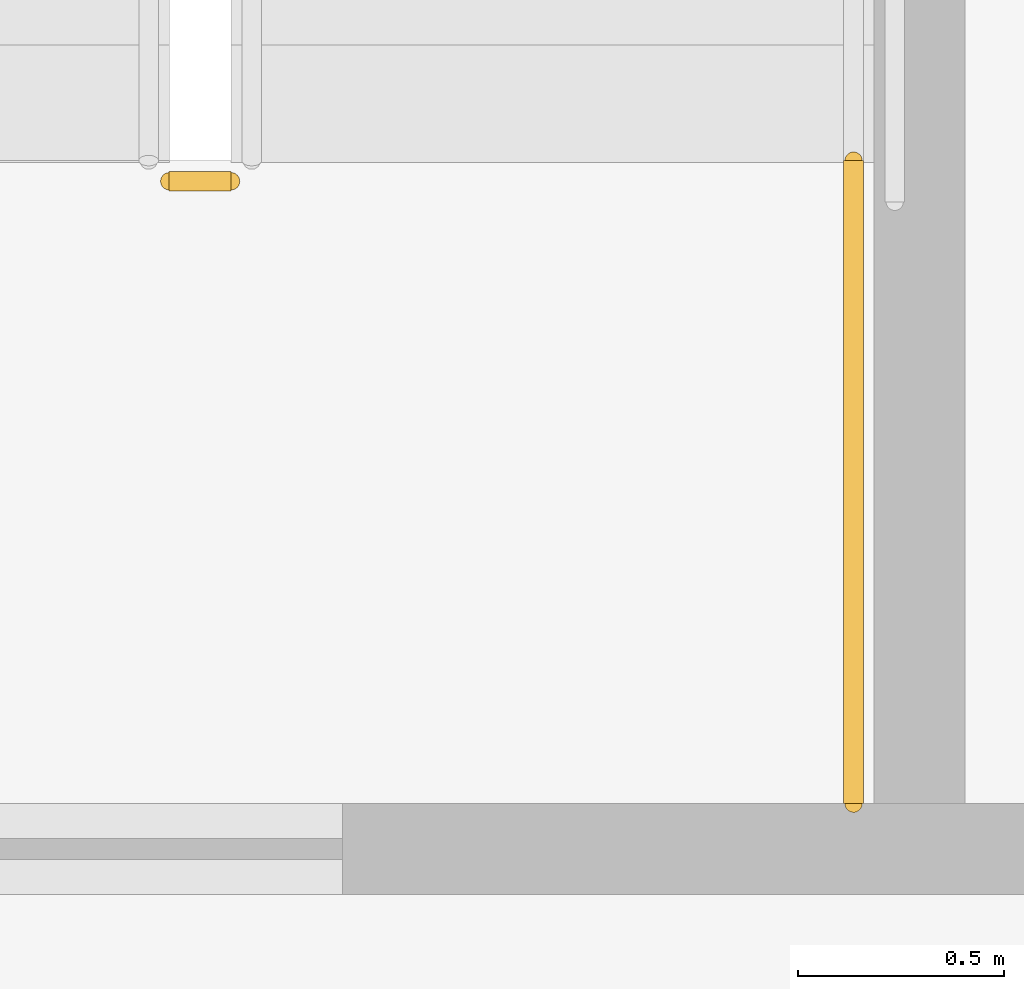
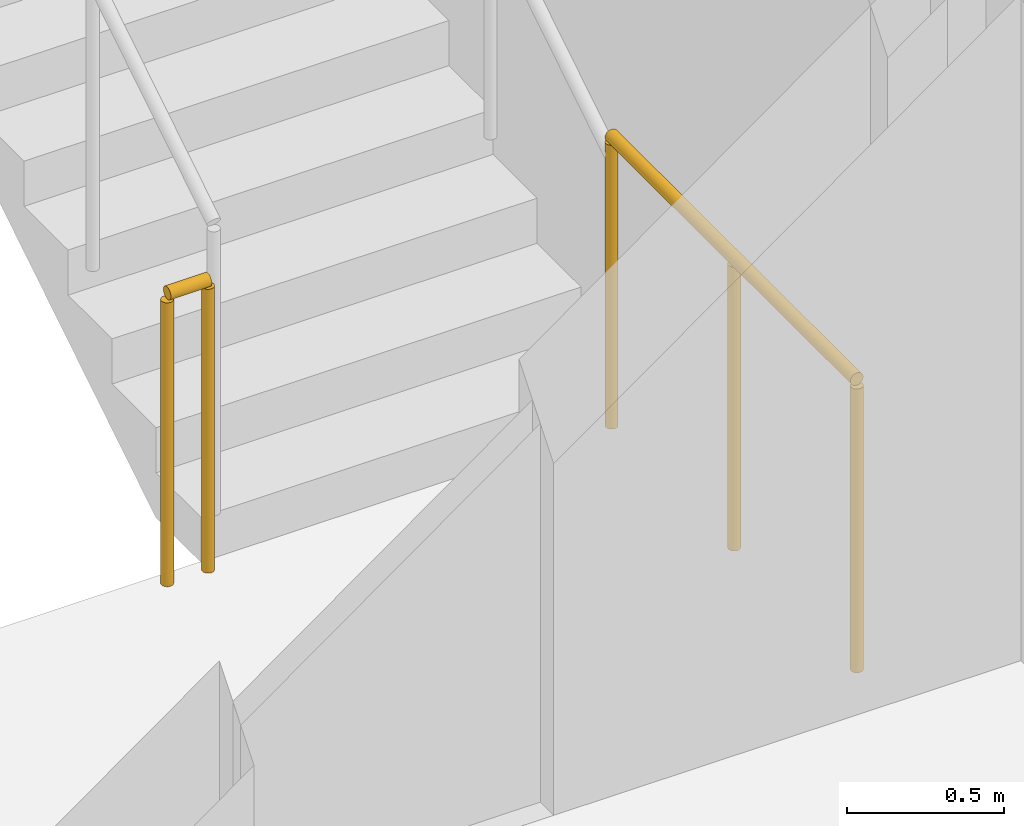
# One storey, part 12 of 15: 2 railings.
"""IFC4 building model written with IfcOpenShell, lengths in metres."""

import ifcopenshell
import ifcopenshell.guid

model = None  # the IFC model being written
_history = None  # IfcOwnerHistory: only IFC2X3 demands one
_inside = {}  # id of a spatial element -> (the spatial element, [elements in it])
_under = {}  # id of a project, library or spatial element -> (it, [spatial elements below it])
_declared = {}  # id of a project -> (the project, [libraries it declares])
_typed = {}  # id of a type object -> (the type object, [elements of that type])
_made_of = {}  # id of a material, layer set ... -> (it, [elements and type objects made of it])


def new_model(schema):
    """Start an empty IFC model of exactly this schema.

    Asked for "IFC4X3", IfcOpenShell would pick the latest addendum, in which some entities
    have other attributes; the version numbers below select the first issue.
    IFC2X3 requires an IfcOwnerHistory on every rooted entity: one is made here for all.
    """
    global model, _history
    if schema == "IFC4X3":
        model = ifcopenshell.file(schema_version=(4, 3, 0, 0))
    else:
        model = ifcopenshell.file(schema=schema)
    _inside.clear()
    _under.clear()
    _declared.clear()
    _typed.clear()
    _made_of.clear()
    _history = None
    if model.schema == "IFC2X3":
        org = make("IfcOrganization", Name="unknown")
        user = make(
            "IfcPersonAndOrganization",
            ThePerson=make("IfcPerson", FamilyName="unknown"),
            TheOrganization=org,
        )
        app = make(
            "IfcApplication",
            ApplicationDeveloper=org,
            Version="unknown",
            ApplicationFullName="unknown",
            ApplicationIdentifier="unknown",
        )
        _history = make(
            "IfcOwnerHistory",
            OwningUser=user,
            OwningApplication=app,
            ChangeAction="ADDED",
            CreationDate=0,
        )
    return model


def make(cls, **values):
    """One entity of the class cls with the attributes given. An attribute that is None is left unset."""
    return model.create_entity(
        cls, **{name: value for name, value in values.items() if value is not None}
    )


def rooted(cls, **values):
    """An entity with a GlobalId (a new one), such as an element, a storey or a relation."""
    return make(cls, GlobalId=ifcopenshell.guid.new(), OwnerHistory=_history, **values)


def si_unit(unit_type, name, prefix=None):
    """IfcSIUnit, for example si_unit("LENGTHUNIT", "METRE", prefix="MILLI")."""
    return make("IfcSIUnit", UnitType=unit_type, Prefix=prefix, Name=name)


def assignment(units):
    """IfcUnitAssignment: the units of a project."""
    return None if units is None else make("IfcUnitAssignment", Units=units)


def point(xyz):
    """IfcCartesianPoint."""
    return None if xyz is None else make("IfcCartesianPoint", Coordinates=xyz)


def direction(xyz):
    """IfcDirection."""
    return None if xyz is None else make("IfcDirection", DirectionRatios=xyz)


def frame(location, z_axis=None, x_axis=None):
    """IfcAxis2Placement3D, a coordinate frame: its origin and axes. An axis left out is left unset."""
    return make(
        "IfcAxis2Placement3D",
        Location=point(location),
        Axis=direction(z_axis),
        RefDirection=direction(x_axis),
    )


def frame_2d(location, x_axis=None):
    """IfcAxis2Placement2D, a coordinate frame in the plane: its origin and x axis."""
    return make(
        "IfcAxis2Placement2D", Location=point(location), RefDirection=direction(x_axis)
    )


def origin():
    """The frame at (0, 0, 0) with its axes left unset."""
    return frame((0.0, 0.0, 0.0))


def origin_2d():
    """The frame at (0, 0) in the plane with its x axis left unset."""
    return frame_2d((0.0, 0.0))


def place(relative_to, where):
    """IfcLocalPlacement: puts the frame where relative to a parent placement (None: the world)."""
    return make(
        "IfcLocalPlacement", PlacementRelTo=relative_to, RelativePlacement=where
    )


def context(
    kind, dimensions, precision=None, world=None, true_north=None, identifier=None
):
    """IfcGeometricRepresentationContext, for example the 3D "Model" context."""
    return make(
        "IfcGeometricRepresentationContext",
        ContextIdentifier=identifier,
        ContextType=kind,
        CoordinateSpaceDimension=dimensions,
        Precision=precision,
        WorldCoordinateSystem=world,
        TrueNorth=true_north,
    )


def subcontext(parent, identifier, kind, view, scale=None):
    """IfcGeometricRepresentationSubContext, for example "Body" below "Model"."""
    return make(
        "IfcGeometricRepresentationSubContext",
        ContextIdentifier=identifier,
        ContextType=kind,
        ParentContext=parent,
        TargetScale=scale,
        TargetView=view,
    )


def project(units=None, contexts=None):
    """IfcProject with its units and contexts."""
    return rooted(
        "IfcProject",
        Name="project",
        RepresentationContexts=contexts,
        UnitsInContext=assignment(units),
    )


def spatial(cls, under=None, at=None, **own):
    """A site, building, storey or space (cls), placed at a placement, below another one or the project."""
    s = rooted(cls, ObjectPlacement=at, **own)
    if under is not None:
        _under.setdefault(under.id(), (under, []))[1].append(s)
    return s


def profile(cls, at=None, kind="AREA", **sizes):
    """A parametric profile (cls). Its sizes go by their IFC names, for example OverallWidth=200.0."""
    return make(cls, ProfileType=kind, Position=at, **sizes)


def circle(**sizes):
    """IfcCircleProfileDef."""
    return profile("IfcCircleProfileDef", **sizes)


def extrude(swept, where, along, depth):
    """IfcExtrudedAreaSolid: the profile swept, set in the frame where, extruded along a direction by depth."""
    return make(
        "IfcExtrudedAreaSolid",
        SweptArea=swept,
        Position=where,
        ExtrudedDirection=direction(along),
        Depth=depth,
    )


def shape(context_of_items, identifier, shape_type, items):
    """IfcShapeRepresentation: the items that make up one representation, for example the "Body"."""
    return make(
        "IfcShapeRepresentation",
        ContextOfItems=context_of_items,
        RepresentationIdentifier=identifier,
        RepresentationType=shape_type,
        Items=items,
    )


def material(Name=None, Category=None):
    """IfcMaterial."""
    return make("IfcMaterial", Name=Name, Category=Category)


def made_of(thing, what):
    """Note that an element or type object is made of a material, layer set ...; save() writes the relation."""
    if what is not None:
        _made_of.setdefault(what.id(), (what, []))[1].append(thing)
    return thing


def type_object(cls, material=None, **own):
    """A type object (cls), such as IfcWallType, which elements share."""
    return made_of(rooted(cls, **own), material)


def element(
    cls,
    number,
    at=None,
    inside=None,
    cuts=None,
    type_object=None,
    material=None,
    context=None,
    identifier="Body",
    shape_type=None,
    held_by="IfcProductDefinitionShape",
    body=None,
    shapes=None,
    **own,
):
    """One element of the class cls, such as IfcWall. Its Tag is "e" and its number.

    at: its placement. inside: the storey or other place that contains it. cuts: it is an
    opening in that element (IfcRelVoidsElement). A single representation is given by context,
    identifier, shape_type and body (its items); several are given by shapes. held_by: the class
    of the entity that holds the representations. save() writes the other relations.
    """
    e = rooted(cls, Tag="e%d" % number, ObjectPlacement=at, **own)
    if body is not None:
        shapes = [shape(context, identifier, shape_type, body)]
    if shapes is not None:
        e.Representation = make(held_by, Representations=shapes)
    if inside is not None:
        _inside.setdefault(inside.id(), (inside, []))[1].append(e)
    if cuts is not None:
        rooted(
            "IfcRelVoidsElement", RelatingBuildingElement=cuts, RelatedOpeningElement=e
        )
    if type_object is not None:
        _typed.setdefault(type_object.id(), (type_object, []))[1].append(e)
    return made_of(e, material)


def aggregate(whole, parts):
    """IfcRelAggregates: a whole, such as a stair, and the parts it consists of."""
    return rooted("IfcRelAggregates", RelatingObject=whole, RelatedObjects=parts)


def save(model, path):
    """Write the relations noted so far, then the file.

    IfcRelAggregates (storeys below a building ...), IfcRelContainedInSpatialStructure (elements
    in a storey), IfcRelDefinesByType, IfcRelAssociatesMaterial and IfcRelDeclares: one each for
    every whole, place, type object, material and project.
    """
    for whole, parts in _under.values():
        aggregate(whole, parts)
    for where, things in _inside.values():
        rooted(
            "IfcRelContainedInSpatialStructure",
            RelatedElements=things,
            RelatingStructure=where,
        )
    for kind, things in _typed.values():
        rooted("IfcRelDefinesByType", RelatedObjects=things, RelatingType=kind)
    for what, things in _made_of.values():
        rooted("IfcRelAssociatesMaterial", RelatedObjects=things, RelatingMaterial=what)
    for by, libraries in _declared.values():
        rooted("IfcRelDeclares", RelatingContext=by, RelatedDefinitions=libraries)
    model.write(path)


model = new_model("IFC4")

# Units and contexts
model_context = context("Model", 3, precision=1e-05, world=origin(), true_north=direction((0.0, 1.0)))
body_context = subcontext(model_context, "Body", "Model", "MODEL_VIEW")
ifc_project = project(units=[si_unit("LENGTHUNIT", "METRE"), si_unit("AREAUNIT", "SQUARE_METRE"), si_unit("VOLUMEUNIT", "CUBIC_METRE"), si_unit("PLANEANGLEUNIT", "RADIAN"), si_unit("MASSUNIT", "GRAM", prefix="KILO")], contexts=[model_context])

# Site, building, storey
site_placement = place(None, origin())
site = spatial("IfcSite", under=ifc_project, at=site_placement, CompositionType="ELEMENT")
building_placement = place(site_placement, origin())
building = spatial("IfcBuilding", under=site, at=building_placement, Name="Khairoan Windgate Tower", CompositionType="ELEMENT")
storey_placement = place(building_placement, frame((0.0, 0.0, 38.60009765625)))
storey = spatial("IfcBuildingStorey", under=building, at=storey_placement, Name="L09", CompositionType="ELEMENT", Elevation=38.60009765625)

# Railings
ifc_material = material(Name="Steel S355", Category="steel")
railing_type = type_object("IfcRailingType", Name="Stairwell Safety Guardrail SGR-1150", PredefinedType="GUARDRAIL", material=ifc_material)
railing_1_placement = place(storey_placement, frame((-17.7099609375, 2.909912109375, 0.0)))
element("IfcRailing", 1, at=railing_1_placement, inside=storey, type_object=railing_type, Name="L09 ST2 stair guard 7", PredefinedType="GUARDRAIL", context=body_context, shape_type="SweptSolid", body=[
    extrude(circle(Radius=0.02392578125, at=origin_2d()), frame((0.0, 0.0, 1.1259765625), z_axis=(-1.0, 0.0, 0.0), x_axis=(0.0, -1.0, 0.0)), (0.0, 0.0, 1.0), 0.150146484375),
    extrude(circle(Radius=0.02099609375, at=origin_2d()), origin(), (0.0, 0.0, 1.0), 1.101806640625),
    extrude(circle(Radius=0.02099609375, at=origin_2d()), frame((-0.150146484375, 0.0, 0.0)), (0.0, 0.0, 1.0), 1.101806640625),
])
railing_2_placement = place(storey_placement, frame((-16.199951171875, 1.39990234375, 0.0)))
element("IfcRailing", 2, at=railing_2_placement, inside=storey, type_object=railing_type, Name="L09 ST2 stair guard 8", PredefinedType="GUARDRAIL", context=body_context, shape_type="SweptSolid", body=[
    extrude(circle(Radius=0.02392578125, at=origin_2d()), frame((0.0, 0.0, 1.1259765625), z_axis=(0.0, 1.0, 0.0), x_axis=(-1.0, 0.0, 0.0)), (0.0, 0.0, 1.0), 1.56005859375),
    extrude(circle(Radius=0.02099609375, at=origin_2d()), origin(), (0.0, 0.0, 1.0), 1.101806640625),
    extrude(circle(Radius=0.02099609375, at=origin_2d()), frame((0.0, 0.780029296875, 0.0)), (0.0, 0.0, 1.0), 1.101806640625),
    extrude(circle(Radius=0.02099609375, at=origin_2d()), frame((0.0, 1.56005859375, 0.0)), (0.0, 0.0, 1.0), 1.101806640625),
])

save(model, "model.ifc")
